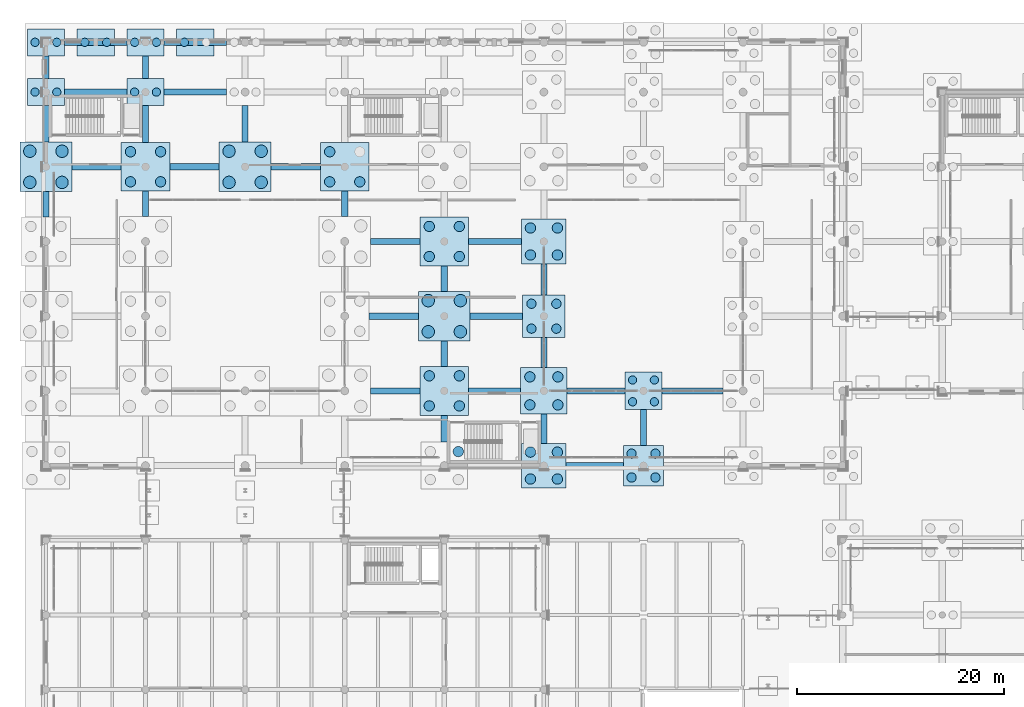
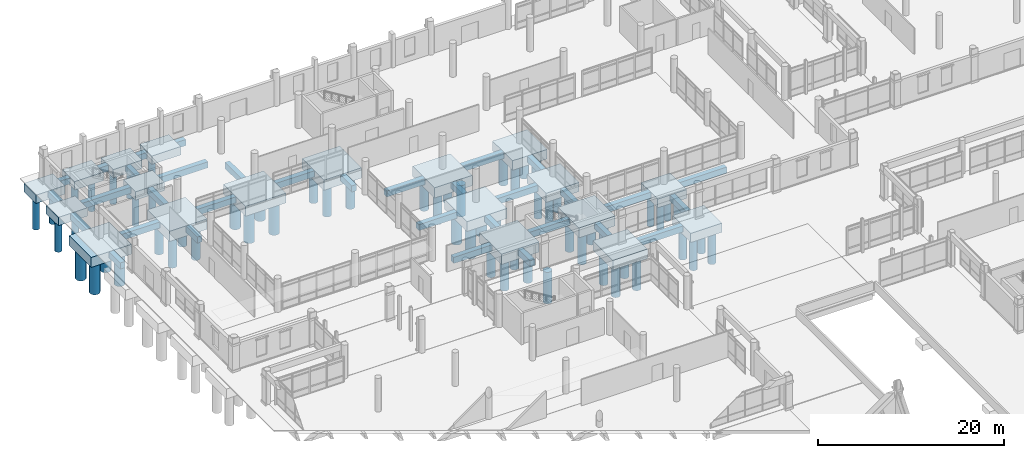
# One storey, part 4 of 196: 63 piles, 50 footings.
"""IFC4 building model written with IfcOpenShell, lengths in metres."""

from ifc_helpers import new_model, si_unit, direction, frame, origin, origin_2d, place, context, subcontext, project, spatial, rectangle, circle, extrude, material, material_profile, profile_set, type_object, element, save


model = new_model("IFC4")

# Units and contexts
model_context = context("Model", 3, precision=1e-05, world=origin(), true_north=direction((0.0, 1.0)))
body_context = subcontext(model_context, "Body", "Model", "MODEL_VIEW")
ifc_project = project(units=[si_unit("LENGTHUNIT", "METRE"), si_unit("AREAUNIT", "SQUARE_METRE"), si_unit("VOLUMEUNIT", "CUBIC_METRE"), si_unit("PLANEANGLEUNIT", "RADIAN"), si_unit("MASSUNIT", "GRAM", prefix="KILO")], contexts=[model_context])

# Site, building, storey
site_placement = place(None, origin())
site = spatial("IfcSite", under=ifc_project, at=site_placement, CompositionType="ELEMENT")
building_placement = place(site_placement, origin())
building = spatial("IfcBuilding", under=site, at=building_placement, Name="Asteropetra Specialist Clinic", CompositionType="ELEMENT")
storey_placement = place(building_placement, origin())
storey = spatial("IfcBuildingStorey", under=building, at=storey_placement, Name="L00", CompositionType="ELEMENT", Elevation=0.0)

# Footings
ifc_material_1 = material(Name="Concrete C35/45", Category="concrete")
ifc_material_profile_1 = material_profile(ifc_material_1, rectangle(XDim=0.60009765625, YDim=0.800048828125, at=origin_2d()), Name="FB 600x800")
ifc_profile_set_1 = profile_set([ifc_material_profile_1], Name="Concrete C35/45")
footing_type_1 = type_object("IfcFootingType", Name="FB-600x800", PredefinedType="FOOTING_BEAM", material=ifc_profile_set_1)
footing_1_placement = place(storey_placement, frame((0.0, 93.550048828125, -0.840087890625), z_axis=(0.0, 1.0, 0.0), x_axis=(-1.0, 0.0, 0.0)))
element("IfcFooting", 1, at=footing_1_placement, inside=storey, type_object=footing_type_1, Name="Footing Tie Beam FB-0027", PredefinedType="FOOTING_BEAM", context=body_context, shape_type="SweptSolid", body=[
    extrude(rectangle(XDim=0.60009765625, YDim=0.800048828125, at=origin_2d()), origin(), (0.0, 0.0, 1.0), 2.449951171875),
])
footing_2_placement = place(storey_placement, frame((2.5, 98.39990234375, -0.840087890625), z_axis=(1.0, 0.0, 0.0), x_axis=(0.0, 1.0, 0.0)))
element("IfcFooting", 2, at=footing_2_placement, inside=storey, type_object=footing_type_1, Name="Footing Tie Beam FB-0028", PredefinedType="FOOTING_BEAM", context=body_context, shape_type="SweptSolid", body=[
    extrude(rectangle(XDim=0.60009765625, YDim=0.800048828125, at=origin_2d()), origin(), (0.0, 0.0, 1.0), 4.75),
])
footing_3_placement = place(storey_placement, frame((0.0, 100.800048828125, -0.840087890625), z_axis=(0.0, 1.0, 0.0), x_axis=(-1.0, 0.0, 0.0)))
element("IfcFooting", 3, at=footing_3_placement, inside=storey, type_object=footing_type_1, Name="Footing Tie Beam FB-0029", PredefinedType="FOOTING_BEAM", context=body_context, shape_type="SweptSolid", body=[
    extrude(rectangle(XDim=0.60009765625, YDim=0.800048828125, at=origin_2d()), origin(), (0.0, 0.0, 1.0), 3.5),
])
footing_4_placement = place(storey_placement, frame((1.800048828125, 105.60009765625, -0.840087890625), z_axis=(1.0, 0.0, 0.0), x_axis=(0.0, 1.0, 0.0)))
element("IfcFooting", 4, at=footing_4_placement, inside=storey, type_object=footing_type_1, Name="Footing Tie Beam FB-0030", PredefinedType="FOOTING_BEAM", context=body_context, shape_type="SweptSolid", body=[
    extrude(rectangle(XDim=0.60009765625, YDim=0.800048828125, at=origin_2d()), origin(), (0.0, 0.0, 1.0), 6.0),
])
footing_5_placement = place(storey_placement, frame((0.0, 106.89990234375, -0.840087890625), z_axis=(0.0, 1.0, 0.0), x_axis=(-1.0, 0.0, 0.0)))
element("IfcFooting", 5, at=footing_5_placement, inside=storey, type_object=footing_type_1, Name="Footing Tie Beam FB-0031", PredefinedType="FOOTING_BEAM", context=body_context, shape_type="SweptSolid", body=[
    extrude(rectangle(XDim=0.60009765625, YDim=0.800048828125, at=origin_2d()), origin(), (0.0, 0.0, 1.0), 2.2001953125),
])
footing_6_placement = place(storey_placement, frame((1.800048828125, 110.39990234375, -0.840087890625), z_axis=(1.0, 0.0, 0.0), x_axis=(0.0, 1.0, 0.0)))
element("IfcFooting", 6, at=footing_6_placement, inside=storey, type_object=footing_type_1, Name="Footing Tie Beam FB-0032", PredefinedType="FOOTING_BEAM", context=body_context, shape_type="SweptSolid", body=[
    extrude(rectangle(XDim=0.60009765625, YDim=0.800048828125, at=origin_2d()), origin(), (0.0, 0.0, 1.0), 6.0),
])
footing_7_placement = place(storey_placement, frame((9.60009765625, 93.60009765625, -0.840087890625), z_axis=(0.0, 1.0, 0.0), x_axis=(-1.0, 0.0, 0.0)))
element("IfcFooting", 7, at=footing_7_placement, inside=storey, type_object=footing_type_1, Name="Footing Tie Beam FB-0057", PredefinedType="FOOTING_BEAM", context=body_context, shape_type="SweptSolid", body=[
    extrude(rectangle(XDim=0.60009765625, YDim=0.800048828125, at=origin_2d()), origin(), (0.0, 0.0, 1.0), 2.449951171875),
])
footing_8_placement = place(storey_placement, frame((11.949951171875, 98.39990234375, -0.840087890625), z_axis=(1.0, 0.0, 0.0), x_axis=(0.0, 1.0, 0.0)))
element("IfcFooting", 8, at=footing_8_placement, inside=storey, type_object=footing_type_1, Name="Footing Tie Beam FB-0058", PredefinedType="FOOTING_BEAM", context=body_context, shape_type="SweptSolid", body=[
    extrude(rectangle(XDim=0.60009765625, YDim=0.800048828125, at=origin_2d()), origin(), (0.0, 0.0, 1.0), 4.75),
])
footing_9_placement = place(storey_placement, frame((9.60009765625, 100.75, -0.840087890625), z_axis=(0.0, 1.0, 0.0), x_axis=(-1.0, 0.0, 0.0)))
element("IfcFooting", 9, at=footing_9_placement, inside=storey, type_object=footing_type_1, Name="Footing Tie Beam FB-0059", PredefinedType="FOOTING_BEAM", context=body_context, shape_type="SweptSolid", body=[
    extrude(rectangle(XDim=0.60009765625, YDim=0.800048828125, at=origin_2d()), origin(), (0.0, 0.0, 1.0), 3.550048828125),
])
footing_10_placement = place(storey_placement, frame((11.39990234375, 105.60009765625, -0.840087890625), z_axis=(1.0, 0.0, 0.0), x_axis=(0.0, 1.0, 0.0)))
element("IfcFooting", 10, at=footing_10_placement, inside=storey, type_object=footing_type_1, Name="Footing Tie Beam FB-0060", PredefinedType="FOOTING_BEAM", context=body_context, shape_type="SweptSolid", body=[
    extrude(rectangle(XDim=0.60009765625, YDim=0.800048828125, at=origin_2d()), origin(), (0.0, 0.0, 1.0), 6.0),
])
footing_11_placement = place(storey_placement, frame((9.60009765625, 106.89990234375, -0.840087890625), z_axis=(0.0, 1.0, 0.0), x_axis=(-1.0, 0.0, 0.0)))
element("IfcFooting", 11, at=footing_11_placement, inside=storey, type_object=footing_type_1, Name="Footing Tie Beam FB-0061", PredefinedType="FOOTING_BEAM", context=body_context, shape_type="SweptSolid", body=[
    extrude(rectangle(XDim=0.60009765625, YDim=0.800048828125, at=origin_2d()), origin(), (0.0, 0.0, 1.0), 2.2001953125),
])
footing_12_placement = place(storey_placement, frame((11.39990234375, 110.39990234375, -0.840087890625), z_axis=(1.0, 0.0, 0.0), x_axis=(0.0, 1.0, 0.0)))
element("IfcFooting", 12, at=footing_12_placement, inside=storey, type_object=footing_type_1, Name="Footing Tie Beam FB-0062", PredefinedType="FOOTING_BEAM", context=body_context, shape_type="SweptSolid", body=[
    extrude(rectangle(XDim=0.60009765625, YDim=0.800048828125, at=origin_2d()), origin(), (0.0, 0.0, 1.0), 6.0),
])
footing_13_placement = place(storey_placement, frame((21.699951171875, 98.39990234375, -0.840087890625), z_axis=(1.0, 0.0, 0.0), x_axis=(0.0, 1.0, 0.0)))
element("IfcFooting", 13, at=footing_13_placement, inside=storey, type_object=footing_type_1, Name="Footing Tie Beam FB-0085", PredefinedType="FOOTING_BEAM", context=body_context, shape_type="SweptSolid", body=[
    extrude(rectangle(XDim=0.60009765625, YDim=0.800048828125, at=origin_2d()), origin(), (0.0, 0.0, 1.0), 4.75),
])
footing_14_placement = place(storey_placement, frame((19.199951171875, 100.800048828125, -0.840087890625), z_axis=(0.0, 1.0, 0.0), x_axis=(-1.0, 0.0, 0.0)))
element("IfcFooting", 14, at=footing_14_placement, inside=storey, type_object=footing_type_1, Name="Footing Tie Beam FB-0086", PredefinedType="FOOTING_BEAM", context=body_context, shape_type="SweptSolid", body=[
    extrude(rectangle(XDim=0.60009765625, YDim=0.800048828125, at=origin_2d()), origin(), (0.0, 0.0, 1.0), 3.5),
])
for number, where, z_axis, x_axis, name in (
    (15, (31.300048828125, 76.800048828125, -0.840087890625), (1.0, 0.0, 0.0), (0.0, 1.0, 0.0), "Footing Tie Beam FB-0111"),
    (16, (31.14990234375, 84.0, -0.840087890625), (1.0, 0.0, 0.0), (0.0, 1.0, 0.0), "Footing Tie Beam FB-0113"),
    (17, (31.300048828125, 91.199951171875, -0.840087890625), (1.0, 0.0, 0.0), (0.0, 1.0, 0.0), "Footing Tie Beam FB-0115"),
):
    element("IfcFooting", number, at=place(storey_placement, frame(where, z_axis=z_axis, x_axis=x_axis)), inside=storey, type_object=footing_type_1, Name=name, PredefinedType="FOOTING_BEAM", context=body_context, shape_type="SweptSolid", body=[
        extrude(rectangle(XDim=0.60009765625, YDim=0.800048828125, at=origin_2d()), origin(), (0.0, 0.0, 1.0), 4.75),
    ])
footing_15_placement = place(storey_placement, frame((28.800048828125, 93.60009765625, -0.840087890625), z_axis=(0.0, 1.0, 0.0), x_axis=(-1.0, 0.0, 0.0)))
element("IfcFooting", 18, at=footing_15_placement, inside=storey, type_object=footing_type_1, Name="Footing Tie Beam FB-0116", PredefinedType="FOOTING_BEAM", context=body_context, shape_type="SweptSolid", body=[
    extrude(rectangle(XDim=0.60009765625, YDim=0.800048828125, at=origin_2d()), origin(), (0.0, 0.0, 1.0), 2.449951171875),
])
footing_16_placement = place(storey_placement, frame((38.39990234375, 71.85009765625, -0.840087890625), z_axis=(0.0, 1.0, 0.0), x_axis=(-1.0, 0.0, 0.0)))
element("IfcFooting", 19, at=footing_16_placement, inside=storey, type_object=footing_type_1, Name="Footing Tie Beam FB-0142", PredefinedType="FOOTING_BEAM", context=body_context, shape_type="SweptSolid", body=[
    extrude(rectangle(XDim=0.60009765625, YDim=0.800048828125, at=origin_2d()), origin(), (0.0, 0.0, 1.0), 2.599853515625),
])
footing_17_placement = place(storey_placement, frame((40.75, 76.800048828125, -0.840087890625), z_axis=(1.0, 0.0, 0.0), x_axis=(0.0, 1.0, 0.0)))
element("IfcFooting", 20, at=footing_17_placement, inside=storey, type_object=footing_type_1, Name="Footing Tie Beam FB-0143", PredefinedType="FOOTING_BEAM", context=body_context, shape_type="SweptSolid", body=[
    extrude(rectangle(XDim=0.60009765625, YDim=0.800048828125, at=origin_2d()), origin(), (0.0, 0.0, 1.0), 5.0),
])
footing_18_placement = place(storey_placement, frame((38.39990234375, 79.14990234375, -0.840087890625), z_axis=(0.0, 1.0, 0.0), x_axis=(-1.0, 0.0, 0.0)))
element("IfcFooting", 21, at=footing_18_placement, inside=storey, type_object=footing_type_1, Name="Footing Tie Beam FB-0144", PredefinedType="FOOTING_BEAM", context=body_context, shape_type="SweptSolid", body=[
    extrude(rectangle(XDim=0.60009765625, YDim=0.800048828125, at=origin_2d()), origin(), (0.0, 0.0, 1.0), 2.4501953125),
])
footing_19_placement = place(storey_placement, frame((40.89990234375, 84.0, -0.840087890625), z_axis=(1.0, 0.0, 0.0), x_axis=(0.0, 1.0, 0.0)))
element("IfcFooting", 22, at=footing_19_placement, inside=storey, type_object=footing_type_1, Name="Footing Tie Beam FB-0145", PredefinedType="FOOTING_BEAM", context=body_context, shape_type="SweptSolid", body=[
    extrude(rectangle(XDim=0.60009765625, YDim=0.800048828125, at=origin_2d()), origin(), (0.0, 0.0, 1.0), 5.050048828125),
])
footing_20_placement = place(storey_placement, frame((38.39990234375, 86.39990234375, -0.840087890625), z_axis=(0.0, 1.0, 0.0), x_axis=(-1.0, 0.0, 0.0)))
element("IfcFooting", 23, at=footing_20_placement, inside=storey, type_object=footing_type_1, Name="Footing Tie Beam FB-0146", PredefinedType="FOOTING_BEAM", context=body_context, shape_type="SweptSolid", body=[
    extrude(rectangle(XDim=0.60009765625, YDim=0.800048828125, at=origin_2d()), origin(), (0.0, 0.0, 1.0), 2.4501953125),
])
footing_21_placement = place(storey_placement, frame((40.75, 91.199951171875, -0.840087890625), z_axis=(1.0, 0.0, 0.0), x_axis=(0.0, 1.0, 0.0)))
element("IfcFooting", 24, at=footing_21_placement, inside=storey, type_object=footing_type_1, Name="Footing Tie Beam FB-0147", PredefinedType="FOOTING_BEAM", context=body_context, shape_type="SweptSolid", body=[
    extrude(rectangle(XDim=0.60009765625, YDim=0.800048828125, at=origin_2d()), origin(), (0.0, 0.0, 1.0), 5.10009765625),
])
footing_22_placement = place(storey_placement, frame((50.14990234375, 69.60009765625, -0.840087890625), z_axis=(1.0, 0.0, 0.0), x_axis=(0.0, 1.0, 0.0)))
element("IfcFooting", 25, at=footing_22_placement, inside=storey, type_object=footing_type_1, Name="Footing Tie Beam FB-0173", PredefinedType="FOOTING_BEAM", context=body_context, shape_type="SweptSolid", body=[
    extrude(rectangle(XDim=0.60009765625, YDim=0.800048828125, at=origin_2d()), origin(), (0.0, 0.0, 1.0), 5.5),
])
footing_23_placement = place(storey_placement, frame((48.0, 71.75, -0.840087890625), z_axis=(0.0, 1.0, 0.0), x_axis=(-1.0, 0.0, 0.0)))
element("IfcFooting", 26, at=footing_23_placement, inside=storey, type_object=footing_type_1, Name="Footing Tie Beam FB-0174", PredefinedType="FOOTING_BEAM", context=body_context, shape_type="SweptSolid", body=[
    extrude(rectangle(XDim=0.60009765625, YDim=0.800048828125, at=origin_2d()), origin(), (0.0, 0.0, 1.0), 2.800048828125),
])
footing_24_placement = place(storey_placement, frame((50.25, 76.800048828125, -0.840087890625), z_axis=(1.0, 0.0, 0.0), x_axis=(0.0, 1.0, 0.0)))
element("IfcFooting", 27, at=footing_24_placement, inside=storey, type_object=footing_type_1, Name="Footing Tie Beam FB-0175", PredefinedType="FOOTING_BEAM", context=body_context, shape_type="SweptSolid", body=[
    extrude(rectangle(XDim=0.60009765625, YDim=0.800048828125, at=origin_2d()), origin(), (0.0, 0.0, 1.0), 5.550048828125),
])
footing_25_placement = place(storey_placement, frame((48.0, 79.050048828125, -0.840087890625), z_axis=(0.0, 1.0, 0.0), x_axis=(-1.0, 0.0, 0.0)))
element("IfcFooting", 28, at=footing_25_placement, inside=storey, type_object=footing_type_1, Name="Footing Tie Beam FB-0176", PredefinedType="FOOTING_BEAM", context=body_context, shape_type="SweptSolid", body=[
    extrude(rectangle(XDim=0.60009765625, YDim=0.800048828125, at=origin_2d()), origin(), (0.0, 0.0, 1.0), 2.89990234375),
])
footing_26_placement = place(storey_placement, frame((48.0, 86.050048828125, -0.840087890625), z_axis=(0.0, 1.0, 0.0), x_axis=(-1.0, 0.0, 0.0)))
element("IfcFooting", 29, at=footing_26_placement, inside=storey, type_object=footing_type_1, Name="Footing Tie Beam FB-0177", PredefinedType="FOOTING_BEAM", context=body_context, shape_type="SweptSolid", body=[
    extrude(rectangle(XDim=0.60009765625, YDim=0.800048828125, at=origin_2d()), origin(), (0.0, 0.0, 1.0), 3.0),
])
footing_27_placement = place(storey_placement, frame((57.60009765625, 71.550048828125, -0.840087890625), z_axis=(0.0, 1.0, 0.0), x_axis=(-1.0, 0.0, 0.0)))
element("IfcFooting", 30, at=footing_27_placement, inside=storey, type_object=footing_type_1, Name="Footing Tie Beam FB-0203", PredefinedType="FOOTING_BEAM", context=body_context, shape_type="SweptSolid", body=[
    extrude(rectangle(XDim=0.60009765625, YDim=0.800048828125, at=origin_2d()), origin(), (0.0, 0.0, 1.0), 3.449951171875),
])
footing_28_placement = place(storey_placement, frame((59.39990234375, 76.800048828125, -0.840087890625), z_axis=(1.0, 0.0, 0.0), x_axis=(0.0, 1.0, 0.0)))
element("IfcFooting", 31, at=footing_28_placement, inside=storey, type_object=footing_type_1, Name="Footing Tie Beam FB-0204", PredefinedType="FOOTING_BEAM", context=body_context, shape_type="SweptSolid", body=[
    extrude(rectangle(XDim=0.60009765625, YDim=0.800048828125, at=origin_2d()), origin(), (0.0, 0.0, 1.0), 5.85009765625),
])
ifc_material_2 = material(Name="Concrete C35/45", Category="concrete")
footing_type_2 = type_object("IfcFootingType", Name="PC-2600", PredefinedType="PILE_CAP", material=ifc_material_2)
for number, where, z_axis, x_axis, name in (
    (32, (0.0, 105.60009765625, -1.5400390625), (0.0, 0.0, 1.0), (1.0, 0.0, 0.0), "Pile Cap PC-01-016"),
    (33, (0.0, 110.39990234375, -1.5400390625), (0.0, 0.0, 1.0), (1.0, 0.0, 0.0), "Pile Cap PC-01-017"),
    (34, (9.60009765625, 105.60009765625, -1.5400390625), (0.0, 0.0, 1.0), (1.0, 0.0, 0.0), "Pile Cap PC-01-033"),
    (35, (9.60009765625, 110.39990234375, -1.5400390625), (0.0, 0.0, 1.0), (1.0, 0.0, 0.0), "Pile Cap PC-01-034"),
    (36, (4.800048828125, 110.39990234375, -1.43994140625), (0.0, 0.0, 1.0), (1.0, 0.0, 0.0), "Pilaster Pile Cap PC-P01"),
    (37, (14.39990234375, 110.39990234375, -1.43994140625), (0.0, 0.0, 1.0), (1.0, 0.0, 0.0), "Pilaster Pile Cap PC-P02"),
):
    element("IfcFooting", number, at=place(storey_placement, frame(where, z_axis=z_axis, x_axis=x_axis)), inside=storey, type_object=footing_type_2, Name=name, PredefinedType="PILE_CAP", context=body_context, shape_type="SweptSolid", body=[
        extrude(rectangle(XDim=3.60009765625, YDim=2.60009765625, at=origin_2d()), origin(), (0.0, 0.0, 1.0), 1.10009765625),
    ])
ifc_material_3 = material(Name="Concrete C35/45", Category="concrete")
footing_type_3 = type_object("IfcFootingType", Name="PC-2800", PredefinedType="PILE_CAP", material=ifc_material_3)
footing_29_placement = place(storey_placement, frame((57.60009765625, 76.800048828125, -1.58984375), z_axis=(0.0, 0.0, 1.0), x_axis=(1.0, 0.0, 0.0)))
element("IfcFooting", 38, at=footing_29_placement, inside=storey, type_object=footing_type_3, Name="Pile Cap PC-02-124", PredefinedType="PILE_CAP", context=body_context, shape_type="SweptSolid", body=[
    extrude(rectangle(XDim=3.60009765625, YDim=3.60009765625, at=origin_2d()), origin(), (0.0, 0.0, 1.0), 1.14990234375),
])
ifc_material_4 = material(Name="Concrete C35/45", Category="concrete")
footing_type_4 = type_object("IfcFootingType", Name="PC-3000", PredefinedType="PILE_CAP", material=ifc_material_4)
footing_30_placement = place(storey_placement, frame((57.60009765625, 69.60009765625, -1.64013671875), z_axis=(0.0, 0.0, 1.0), x_axis=(1.0, 0.0, 0.0)))
element("IfcFooting", 39, at=footing_30_placement, inside=storey, type_object=footing_type_4, Name="Pile Cap PC-03-123", PredefinedType="PILE_CAP", context=body_context, shape_type="SweptSolid", body=[
    extrude(rectangle(XDim=3.89990234375, YDim=3.89990234375, at=origin_2d()), origin(), (0.0, 0.0, 1.0), 1.199951171875),
])
ifc_material_5 = material(Name="Concrete C35/45", Category="concrete")
footing_type_5 = type_object("IfcFootingType", Name="PC-3200", PredefinedType="PILE_CAP", material=ifc_material_5)
footing_31_placement = place(storey_placement, frame((48.0, 84.0, -1.64013671875), z_axis=(0.0, 0.0, 1.0), x_axis=(1.0, 0.0, 0.0)))
element("IfcFooting", 40, at=footing_31_placement, inside=storey, type_object=footing_type_5, Name="Pile Cap PC-04-108", PredefinedType="PILE_CAP", context=body_context, shape_type="SweptSolid", body=[
    extrude(rectangle(XDim=4.10009765625, YDim=4.10009765625, at=origin_2d()), origin(), (0.0, 0.0, 1.0), 1.199951171875),
])
ifc_material_6 = material(Name="Concrete C35/45", Category="concrete")
footing_type_6 = type_object("IfcFootingType", Name="PC-3400", PredefinedType="PILE_CAP", material=ifc_material_6)
for number, where, z_axis, x_axis, name in (
    (41, (48.0, 69.60009765625, -1.68994140625), (0.0, 0.0, 1.0), (1.0, 0.0, 0.0), "Pile Cap PC-05-106"),
    (42, (48.0, 91.199951171875, -1.68994140625), (0.0, 0.0, 1.0), (1.0, 0.0, 0.0), "Pile Cap PC-05-109"),
):
    element("IfcFooting", number, at=place(storey_placement, frame(where, z_axis=z_axis, x_axis=x_axis)), inside=storey, type_object=footing_type_6, Name=name, PredefinedType="PILE_CAP", context=body_context, shape_type="SweptSolid", body=[
        extrude(rectangle(XDim=4.300048828125, YDim=4.300048828125, at=origin_2d()), origin(), (0.0, 0.0, 1.0), 1.25),
    ])
ifc_material_7 = material(Name="Concrete C35/45", Category="concrete")
footing_type_7 = type_object("IfcFootingType", Name="PC-3600", PredefinedType="PILE_CAP", material=ifc_material_7)
footing_32_placement = place(storey_placement, frame((48.0, 76.800048828125, -1.740234375), z_axis=(0.0, 0.0, 1.0), x_axis=(1.0, 0.0, 0.0)))
element("IfcFooting", 43, at=footing_32_placement, inside=storey, type_object=footing_type_7, Name="Pile Cap PC-06-107", PredefinedType="PILE_CAP", context=body_context, shape_type="SweptSolid", body=[
    extrude(rectangle(XDim=4.5, YDim=4.5, at=origin_2d()), origin(), (0.0, 0.0, 1.0), 1.300048828125),
])
ifc_material_8 = material(Name="Concrete C35/45", Category="concrete")
footing_type_8 = type_object("IfcFootingType", Name="PC-3800", PredefinedType="PILE_CAP", material=ifc_material_8)
for number, where, z_axis, x_axis, name in (
    (44, (9.60009765625, 98.39990234375, -1.7900390625), (0.0, 0.0, 1.0), (1.0, 0.0, 0.0), "Pile Cap PC-07-032"),
    (45, (28.800048828125, 98.39990234375, -1.7900390625), (0.0, 0.0, 1.0), (1.0, 0.0, 0.0), "Pile Cap PC-07-076"),
    (46, (38.39990234375, 76.800048828125, -1.7900390625), (0.0, 0.0, 1.0), (1.0, 0.0, 0.0), "Pile Cap PC-07-090"),
    (47, (38.39990234375, 91.199951171875, -1.7900390625), (0.0, 0.0, 1.0), (1.0, 0.0, 0.0), "Pile Cap PC-07-092"),
):
    element("IfcFooting", number, at=place(storey_placement, frame(where, z_axis=z_axis, x_axis=x_axis)), inside=storey, type_object=footing_type_8, Name=name, PredefinedType="PILE_CAP", context=body_context, shape_type="SweptSolid", body=[
        extrude(rectangle(XDim=4.699951171875, YDim=4.699951171875, at=origin_2d()), origin(), (0.0, 0.0, 1.0), 1.35009765625),
    ])
ifc_material_9 = material(Name="Concrete C35/45", Category="concrete")
footing_type_9 = type_object("IfcFootingType", Name="PC-4000x3200", PredefinedType="PILE_CAP", material=ifc_material_9)
for number, where, z_axis, x_axis, name in (
    (48, (0.0, 98.39990234375, -1.740234375), (0.0, 0.0, 1.0), (1.0, 0.0, 0.0), "Pile Cap PC-08-015"),
    (49, (19.199951171875, 98.39990234375, -1.740234375), (0.0, 0.0, 1.0), (1.0, 0.0, 0.0), "Pile Cap PC-08-055"),
    (50, (38.39990234375, 84.0, -1.740234375), (0.0, 0.0, 1.0), (1.0, 0.0, 0.0), "Pile Cap PC-08-091"),
):
    element("IfcFooting", number, at=place(storey_placement, frame(where, z_axis=z_axis, x_axis=x_axis)), inside=storey, type_object=footing_type_9, Name=name, PredefinedType="PILE_CAP", context=body_context, shape_type="SweptSolid", body=[
        extrude(rectangle(XDim=5.0, YDim=4.800048828125, at=origin_2d()), origin(), (0.0, 0.0, 1.0), 1.300048828125),
    ])

# Piles
ifc_material_10 = material(Name="Concrete C35/45", Category="concrete")
ifc_material_profile_2 = material_profile(ifc_material_10, circle(Radius=0.5, at=origin_2d()), Name="PILE D1000")
ifc_profile_set_2 = profile_set([ifc_material_profile_2], Name="Concrete C35/45")
pile_type_1 = type_object("IfcPileType", Name="PILE-B1000", PredefinedType="BORED", material=ifc_profile_set_2)
for number, where, z_axis, x_axis, name in (
    (51, (8.14990234375, 96.949951171875, -1.68994140625), (0.0, 0.0, -1.0), (1.0, 0.0, 0.0), "Bored Pile PPL03-032-1"),
    (52, (11.050048828125, 96.949951171875, -1.68994140625), (0.0, 0.0, -1.0), (1.0, 0.0, 0.0), "Bored Pile PPL03-032-2"),
    (53, (8.14990234375, 99.85009765625, -1.68994140625), (0.0, 0.0, -1.0), (1.0, 0.0, 0.0), "Bored Pile PPL03-032-3"),
    (54, (11.050048828125, 99.85009765625, -1.68994140625), (0.0, 0.0, -1.0), (1.0, 0.0, 0.0), "Bored Pile PPL03-032-4"),
    (55, (27.35009765625, 96.949951171875, -1.68994140625), (0.0, 0.0, -1.0), (1.0, 0.0, 0.0), "Bored Pile PPL03-076-1"),
    (56, (30.25, 96.949951171875, -1.68994140625), (0.0, 0.0, -1.0), (1.0, 0.0, 0.0), "Bored Pile PPL03-076-2"),
    (57, (27.35009765625, 99.85009765625, -1.68994140625), (0.0, 0.0, -1.0), (1.0, 0.0, 0.0), "Bored Pile PPL03-076-3"),
):
    element("IfcPile", number, at=place(storey_placement, frame(where, z_axis=z_axis, x_axis=x_axis)), inside=storey, type_object=pile_type_1, Name=name, PredefinedType="BORED", context=body_context, shape_type="SweptSolid", body=[
        extrude(circle(Radius=0.5, at=origin_2d()), origin(), (0.0, 0.0, 1.0), 4.110107421875),
    ])
pile_placement = place(storey_placement, frame((39.75, 70.949951171875, -1.639892578125), z_axis=(0.0, 0.0, -1.0), x_axis=(1.0, 0.0, 0.0)))
element("IfcPile", 58, at=pile_placement, inside=storey, type_object=pile_type_1, Name="Bored Pile PPL03-089-4", PredefinedType="BORED", context=body_context, shape_type="SweptSolid", body=[
    extrude(circle(Radius=0.5, at=origin_2d()), origin(), (0.0, 0.0, 1.0), 4.159912109375),
])
for number, where, z_axis, x_axis, name in (
    (59, (36.949951171875, 75.35009765625, -1.68994140625), (0.0, 0.0, -1.0), (1.0, 0.0, 0.0), "Bored Pile PPL03-090-1"),
    (60, (39.85009765625, 75.35009765625, -1.68994140625), (0.0, 0.0, -1.0), (1.0, 0.0, 0.0), "Bored Pile PPL03-090-2"),
    (61, (36.949951171875, 78.25, -1.68994140625), (0.0, 0.0, -1.0), (1.0, 0.0, 0.0), "Bored Pile PPL03-090-3"),
    (62, (39.85009765625, 78.25, -1.68994140625), (0.0, 0.0, -1.0), (1.0, 0.0, 0.0), "Bored Pile PPL03-090-4"),
    (63, (36.949951171875, 89.75, -1.68994140625), (0.0, 0.0, -1.0), (1.0, 0.0, 0.0), "Bored Pile PPL03-092-1"),
    (64, (39.85009765625, 89.75, -1.68994140625), (0.0, 0.0, -1.0), (1.0, 0.0, 0.0), "Bored Pile PPL03-092-2"),
    (65, (36.949951171875, 92.64990234375, -1.68994140625), (0.0, 0.0, -1.0), (1.0, 0.0, 0.0), "Bored Pile PPL03-092-3"),
    (66, (39.85009765625, 92.64990234375, -1.68994140625), (0.0, 0.0, -1.0), (1.0, 0.0, 0.0), "Bored Pile PPL03-092-4"),
):
    element("IfcPile", number, at=place(storey_placement, frame(where, z_axis=z_axis, x_axis=x_axis)), inside=storey, type_object=pile_type_1, Name=name, PredefinedType="BORED", context=body_context, shape_type="SweptSolid", body=[
        extrude(circle(Radius=0.5, at=origin_2d()), origin(), (0.0, 0.0, 1.0), 4.110107421875),
    ])
for number, where, z_axis, x_axis, name in (
    (67, (46.699951171875, 68.300048828125, -1.590087890625), (0.0, 0.0, -1.0), (1.0, 0.0, 0.0), "Bored Pile PPL03-106-1"),
    (68, (49.300048828125, 68.300048828125, -1.590087890625), (0.0, 0.0, -1.0), (1.0, 0.0, 0.0), "Bored Pile PPL03-106-2"),
    (69, (46.699951171875, 70.89990234375, -1.590087890625), (0.0, 0.0, -1.0), (1.0, 0.0, 0.0), "Bored Pile PPL03-106-3"),
    (70, (49.300048828125, 70.89990234375, -1.590087890625), (0.0, 0.0, -1.0), (1.0, 0.0, 0.0), "Bored Pile PPL03-106-4"),
):
    element("IfcPile", number, at=place(storey_placement, frame(where, z_axis=z_axis, x_axis=x_axis)), inside=storey, type_object=pile_type_1, Name=name, PredefinedType="BORED", context=body_context, shape_type="SweptSolid", body=[
        extrude(circle(Radius=0.5, at=origin_2d()), origin(), (0.0, 0.0, 1.0), 4.2099609375),
    ])
for number, where, z_axis, x_axis, name in (
    (71, (46.64990234375, 75.449951171875, -1.639892578125), (0.0, 0.0, -1.0), (1.0, 0.0, 0.0), "Bored Pile PPL03-107-1"),
    (72, (49.35009765625, 75.449951171875, -1.639892578125), (0.0, 0.0, -1.0), (1.0, 0.0, 0.0), "Bored Pile PPL03-107-2"),
    (73, (46.64990234375, 78.14990234375, -1.639892578125), (0.0, 0.0, -1.0), (1.0, 0.0, 0.0), "Bored Pile PPL03-107-3"),
    (74, (49.35009765625, 78.14990234375, -1.639892578125), (0.0, 0.0, -1.0), (1.0, 0.0, 0.0), "Bored Pile PPL03-107-4"),
):
    element("IfcPile", number, at=place(storey_placement, frame(where, z_axis=z_axis, x_axis=x_axis)), inside=storey, type_object=pile_type_1, Name=name, PredefinedType="BORED", context=body_context, shape_type="SweptSolid", body=[
        extrude(circle(Radius=0.5, at=origin_2d()), origin(), (0.0, 0.0, 1.0), 4.159912109375),
    ])
for number, where, z_axis, x_axis, name in (
    (75, (46.699951171875, 89.89990234375, -1.590087890625), (0.0, 0.0, -1.0), (1.0, 0.0, 0.0), "Bored Pile PPL03-109-1"),
    (76, (49.300048828125, 89.89990234375, -1.590087890625), (0.0, 0.0, -1.0), (1.0, 0.0, 0.0), "Bored Pile PPL03-109-2"),
    (77, (46.699951171875, 92.5, -1.590087890625), (0.0, 0.0, -1.0), (1.0, 0.0, 0.0), "Bored Pile PPL03-109-3"),
    (78, (49.300048828125, 92.5, -1.590087890625), (0.0, 0.0, -1.0), (1.0, 0.0, 0.0), "Bored Pile PPL03-109-4"),
):
    element("IfcPile", number, at=place(storey_placement, frame(where, z_axis=z_axis, x_axis=x_axis)), inside=storey, type_object=pile_type_1, Name=name, PredefinedType="BORED", context=body_context, shape_type="SweptSolid", body=[
        extrude(circle(Radius=0.5, at=origin_2d()), origin(), (0.0, 0.0, 1.0), 4.2099609375),
    ])
ifc_material_11 = material(Name="Concrete C35/45", Category="concrete")
ifc_material_profile_3 = material_profile(ifc_material_11, circle(Radius=0.60009765625, at=origin_2d()), Name="PILE D1200")
ifc_profile_set_3 = profile_set([ifc_material_profile_3], Name="Concrete C35/45")
pile_type_2 = type_object("IfcPileType", Name="PILE-B1200", PredefinedType="BORED", material=ifc_profile_set_3)
for number, where, z_axis, x_axis, name in (
    (79, (-1.550048828125, 96.89990234375, -1.639892578125), (0.0, 0.0, -1.0), (1.0, 0.0, 0.0), "Bored Pile PPL04-015-1"),
    (80, (1.550048828125, 96.89990234375, -1.639892578125), (0.0, 0.0, -1.0), (1.0, 0.0, 0.0), "Bored Pile PPL04-015-2"),
    (81, (-1.550048828125, 99.89990234375, -1.639892578125), (0.0, 0.0, -1.0), (1.0, 0.0, 0.0), "Bored Pile PPL04-015-3"),
    (82, (1.550048828125, 99.89990234375, -1.639892578125), (0.0, 0.0, -1.0), (1.0, 0.0, 0.0), "Bored Pile PPL04-015-4"),
    (83, (17.64990234375, 96.89990234375, -1.639892578125), (0.0, 0.0, -1.0), (1.0, 0.0, 0.0), "Bored Pile PPL04-055-1"),
    (84, (20.75, 96.89990234375, -1.639892578125), (0.0, 0.0, -1.0), (1.0, 0.0, 0.0), "Bored Pile PPL04-055-2"),
    (85, (17.64990234375, 99.89990234375, -1.639892578125), (0.0, 0.0, -1.0), (1.0, 0.0, 0.0), "Bored Pile PPL04-055-3"),
    (86, (20.75, 99.89990234375, -1.639892578125), (0.0, 0.0, -1.0), (1.0, 0.0, 0.0), "Bored Pile PPL04-055-4"),
    (87, (36.85009765625, 82.5, -1.639892578125), (0.0, 0.0, -1.0), (1.0, 0.0, 0.0), "Bored Pile PPL04-091-1"),
    (88, (39.949951171875, 82.5, -1.639892578125), (0.0, 0.0, -1.0), (1.0, 0.0, 0.0), "Bored Pile PPL04-091-2"),
    (89, (36.85009765625, 85.5, -1.639892578125), (0.0, 0.0, -1.0), (1.0, 0.0, 0.0), "Bored Pile PPL04-091-3"),
    (90, (39.949951171875, 85.5, -1.639892578125), (0.0, 0.0, -1.0), (1.0, 0.0, 0.0), "Bored Pile PPL04-091-4"),
):
    element("IfcPile", number, at=place(storey_placement, frame(where, z_axis=z_axis, x_axis=x_axis)), inside=storey, type_object=pile_type_2, Name=name, PredefinedType="BORED", context=body_context, shape_type="SweptSolid", body=[
        extrude(circle(Radius=0.60009765625, at=origin_2d()), origin(), (0.0, 0.0, 1.0), 4.159912109375),
    ])
ifc_material_12 = material(Name="Concrete C35/45", Category="concrete")
ifc_material_profile_4 = material_profile(ifc_material_12, circle(Radius=0.39990234375, at=origin_2d()), Name="PILE D800")
ifc_profile_set_4 = profile_set([ifc_material_profile_4], Name="Concrete C35/45")
pile_type_3 = type_object("IfcPileType", Name="PILE-B800", PredefinedType="BORED", material=ifc_profile_set_4)
for number, where, z_axis, x_axis, name in (
    (91, (-1.050048828125, 105.60009765625, -1.43994140625), (0.0, 0.0, -1.0), (1.0, 0.0, 0.0), "Bored Pile PPL01-016-1"),
    (92, (1.050048828125, 105.60009765625, -1.43994140625), (0.0, 0.0, -1.0), (1.0, 0.0, 0.0), "Bored Pile PPL01-016-2"),
    (93, (-1.050048828125, 110.39990234375, -1.43994140625), (0.0, 0.0, -1.0), (1.0, 0.0, 0.0), "Bored Pile PPL01-017-1"),
    (94, (1.050048828125, 110.39990234375, -1.43994140625), (0.0, 0.0, -1.0), (1.0, 0.0, 0.0), "Bored Pile PPL01-017-2"),
    (95, (8.550048828125, 105.60009765625, -1.43994140625), (0.0, 0.0, -1.0), (1.0, 0.0, 0.0), "Bored Pile PPL01-033-1"),
    (96, (10.64990234375, 105.60009765625, -1.43994140625), (0.0, 0.0, -1.0), (1.0, 0.0, 0.0), "Bored Pile PPL01-033-2"),
    (97, (8.550048828125, 110.39990234375, -1.43994140625), (0.0, 0.0, -1.0), (1.0, 0.0, 0.0), "Bored Pile PPL01-034-1"),
    (98, (10.64990234375, 110.39990234375, -1.43994140625), (0.0, 0.0, -1.0), (1.0, 0.0, 0.0), "Bored Pile PPL01-034-2"),
):
    element("IfcPile", number, at=place(storey_placement, frame(where, z_axis=z_axis, x_axis=x_axis)), inside=storey, type_object=pile_type_3, Name=name, PredefinedType="BORED", context=body_context, shape_type="SweptSolid", body=[
        extrude(circle(Radius=0.39990234375, at=origin_2d()), origin(), (0.0, 0.0, 1.0), 4.360107421875),
    ])
for number, where, z_axis, x_axis, name in (
    (99, (56.550048828125, 75.75, -1.489990234375), (0.0, 0.0, -1.0), (1.0, 0.0, 0.0), "Bored Pile PPL01-124-1"),
    (100, (58.64990234375, 75.75, -1.489990234375), (0.0, 0.0, -1.0), (1.0, 0.0, 0.0), "Bored Pile PPL01-124-2"),
    (101, (56.550048828125, 77.85009765625, -1.489990234375), (0.0, 0.0, -1.0), (1.0, 0.0, 0.0), "Bored Pile PPL01-124-3"),
    (102, (58.64990234375, 77.85009765625, -1.489990234375), (0.0, 0.0, -1.0), (1.0, 0.0, 0.0), "Bored Pile PPL01-124-4"),
):
    element("IfcPile", number, at=place(storey_placement, frame(where, z_axis=z_axis, x_axis=x_axis)), inside=storey, type_object=pile_type_3, Name=name, PredefinedType="BORED", context=body_context, shape_type="SweptSolid", body=[
        extrude(circle(Radius=0.39990234375, at=origin_2d()), origin(), (0.0, 0.0, 1.0), 4.31005859375),
    ])
for number, where, z_axis, x_axis, name in (
    (103, (3.75, 110.39990234375, -1.340087890625), (0.0, 0.0, -1.0), (1.0, 0.0, 0.0), "Pilaster Bored Pile PP-01-1"),
    (104, (5.85009765625, 110.39990234375, -1.340087890625), (0.0, 0.0, -1.0), (1.0, 0.0, 0.0), "Pilaster Bored Pile PP-01-2"),
    (105, (13.35009765625, 110.39990234375, -1.340087890625), (0.0, 0.0, -1.0), (1.0, 0.0, 0.0), "Pilaster Bored Pile PP-02-1"),
):
    element("IfcPile", number, at=place(storey_placement, frame(where, z_axis=z_axis, x_axis=x_axis)), inside=storey, type_object=pile_type_3, Name=name, PredefinedType="BORED", context=body_context, shape_type="SweptSolid", body=[
        extrude(circle(Radius=0.39990234375, at=origin_2d()), origin(), (0.0, 0.0, 1.0), 4.4599609375),
    ])
ifc_material_13 = material(Name="Concrete C35/45", Category="concrete")
ifc_material_profile_5 = material_profile(ifc_material_13, circle(Radius=0.449951171875, at=origin_2d()), Name="PILE D900")
ifc_profile_set_5 = profile_set([ifc_material_profile_5], Name="Concrete C35/45")
pile_type_4 = type_object("IfcPileType", Name="PILE-B900", PredefinedType="BORED", material=ifc_profile_set_5)
for number, where, z_axis, x_axis, name in (
    (106, (46.800048828125, 82.800048828125, -1.5400390625), (0.0, 0.0, -1.0), (1.0, 0.0, 0.0), "Bored Pile PPL02-108-1"),
    (107, (49.199951171875, 82.800048828125, -1.5400390625), (0.0, 0.0, -1.0), (1.0, 0.0, 0.0), "Bored Pile PPL02-108-2"),
    (108, (46.800048828125, 85.199951171875, -1.5400390625), (0.0, 0.0, -1.0), (1.0, 0.0, 0.0), "Bored Pile PPL02-108-3"),
    (109, (49.199951171875, 85.199951171875, -1.5400390625), (0.0, 0.0, -1.0), (1.0, 0.0, 0.0), "Bored Pile PPL02-108-4"),
    (110, (56.449951171875, 68.449951171875, -1.5400390625), (0.0, 0.0, -1.0), (1.0, 0.0, 0.0), "Bored Pile PPL02-123-1"),
    (111, (58.75, 68.449951171875, -1.5400390625), (0.0, 0.0, -1.0), (1.0, 0.0, 0.0), "Bored Pile PPL02-123-2"),
    (112, (56.449951171875, 70.75, -1.5400390625), (0.0, 0.0, -1.0), (1.0, 0.0, 0.0), "Bored Pile PPL02-123-3"),
    (113, (58.75, 70.75, -1.5400390625), (0.0, 0.0, -1.0), (1.0, 0.0, 0.0), "Bored Pile PPL02-123-4"),
):
    element("IfcPile", number, at=place(storey_placement, frame(where, z_axis=z_axis, x_axis=x_axis)), inside=storey, type_object=pile_type_4, Name=name, PredefinedType="BORED", context=body_context, shape_type="SweptSolid", body=[
        extrude(circle(Radius=0.449951171875, at=origin_2d()), origin(), (0.0, 0.0, 1.0), 4.260009765625),
    ])

save(model, "model.ifc")
